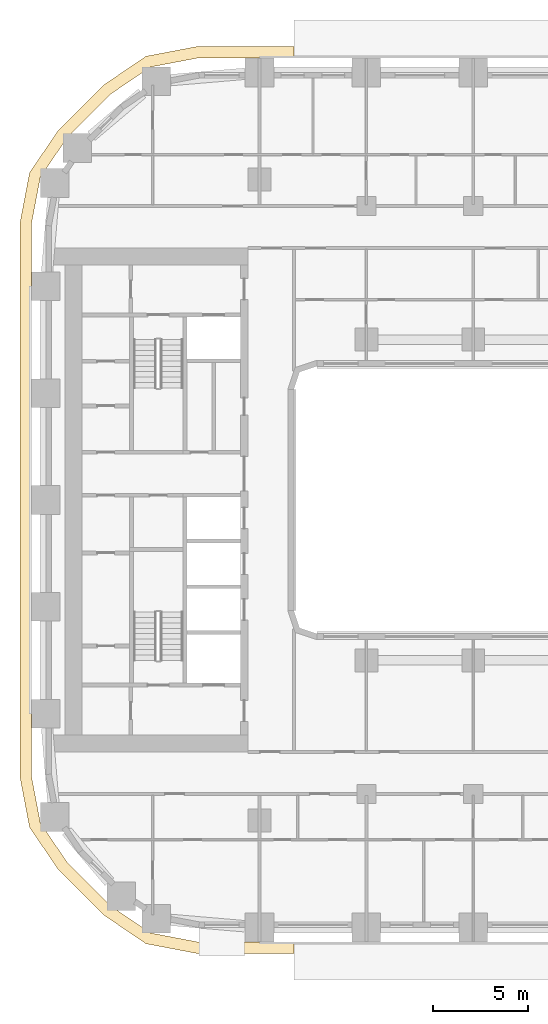
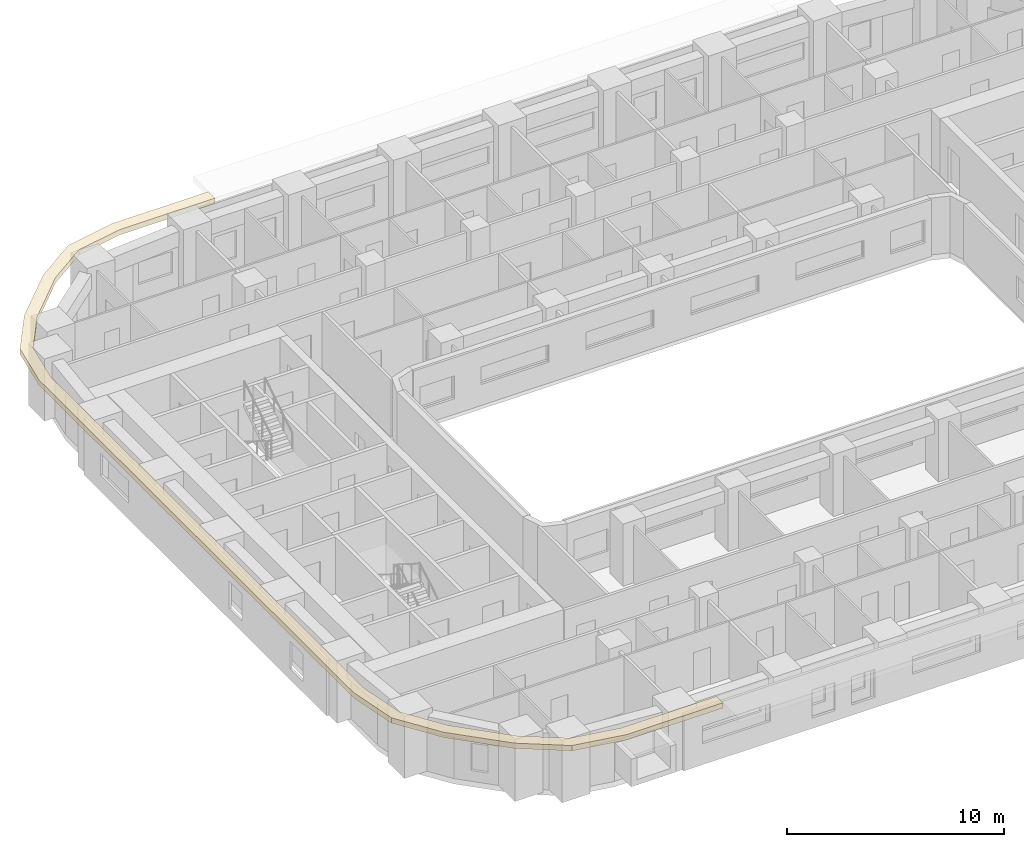
# One storey, part 14 of 21: 1 covering.
"""IFC4 building model written with IfcOpenShell, lengths in metres."""

from ifc_helpers import new_model, si_unit, direction, frame, origin, place, context, subcontext, project, spatial, polyline, outline, extrude, material, layer, layer_set, type_object, element, save


model = new_model("IFC4")

# Units and contexts
model_context = context("Model", 3, precision=1e-05, world=origin(), true_north=direction((0.0, 1.0)))
body_context = subcontext(model_context, "Body", "Model", "MODEL_VIEW")
ifc_project = project(units=[si_unit("LENGTHUNIT", "METRE"), si_unit("AREAUNIT", "SQUARE_METRE"), si_unit("VOLUMEUNIT", "CUBIC_METRE"), si_unit("PLANEANGLEUNIT", "RADIAN"), si_unit("MASSUNIT", "GRAM", prefix="KILO")], contexts=[model_context])

# Site, building, storey
site_placement = place(None, origin())
site = spatial("IfcSite", under=ifc_project, at=site_placement, CompositionType="ELEMENT")
building_placement = place(site_placement, origin())
building = spatial("IfcBuilding", under=site, at=building_placement, Name="Kiln Ring Residences", CompositionType="ELEMENT")
storey_placement = place(building_placement, frame((0.0, 0.0, 41.0)))
storey = spatial("IfcBuildingStorey", under=building, at=storey_placement, Name="L09", CompositionType="ELEMENT", Elevation=41.0)

# Covering
ifc_material = material(Name="Black powder-coated steel", Category="steel")
ifc_layer = layer(ifc_material, 0.300048828125)
ifc_layer_set = layer_set([ifc_layer], Name="SUNSHADE FIN 600")
covering_type = type_object("IfcCoveringType", Name="SUNSHADE FIN 600", PredefinedType="CLADDING", material=ifc_layer_set)
covering_placement = place(storey_placement, frame((0.0, 0.0, 3.199951171875)))
element("IfcCovering", 1, at=covering_placement, inside=storey, type_object=covering_type, Name="SUNSHADE FIN L09", PredefinedType="CLADDING", context=body_context, shape_type="SweptSolid", body=[
    extrude(outline(polyline([(-29.35009765625, -14.527587890625), (-28.849365234375, -17.15185546875), (-27.347900390625, -19.361328125), (-24.96142578125, -21.747802734375), (-22.751953125, -23.24951171875), (-20.127685546875, -23.75), (-15.0, -23.75), (-15.0, -23.14990234375), (-20.07080078125, -23.14990234375), (-22.517333984375, -22.683349609375), (-24.577392578125, -21.283447265625), (-26.88330078125, -18.977294921875), (-28.283447265625, -16.91748046875), (-28.75, -14.470947265625), (-28.75, 14.470947265625), (-28.283447265625, 16.91748046875), (-26.88330078125, 18.977294921875), (-24.577392578125, 21.283447265625), (-22.517333984375, 22.683349609375), (-20.07080078125, 23.14990234375), (-15.0, 23.14990234375), (-15.0, 23.75), (-20.127685546875, 23.75), (-22.751953125, 23.24951171875), (-24.96142578125, 21.747802734375), (-27.347900390625, 19.361328125), (-28.849365234375, 17.15185546875), (-29.35009765625, 14.527587890625), (-29.35009765625, -14.527587890625)])), origin(), (0.0, 0.0, 1.0), 0.300048828125),
])

save(model, "model.ifc")
